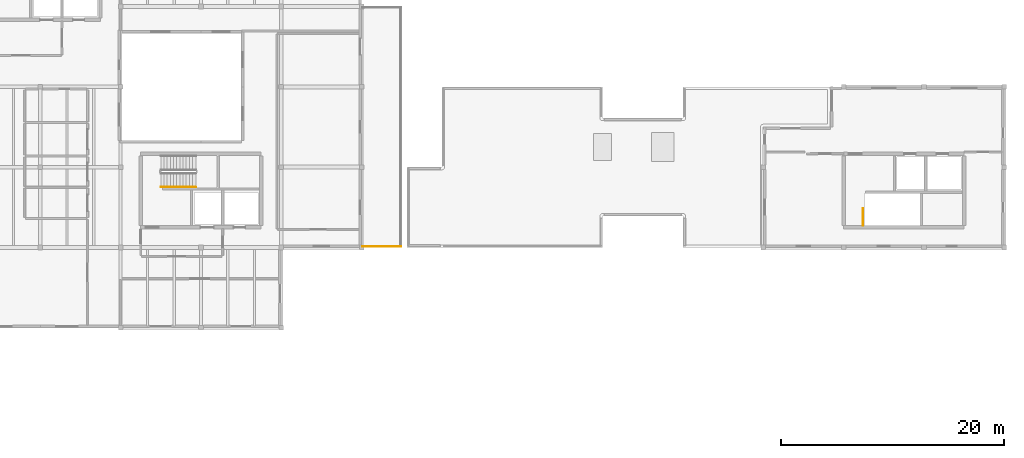
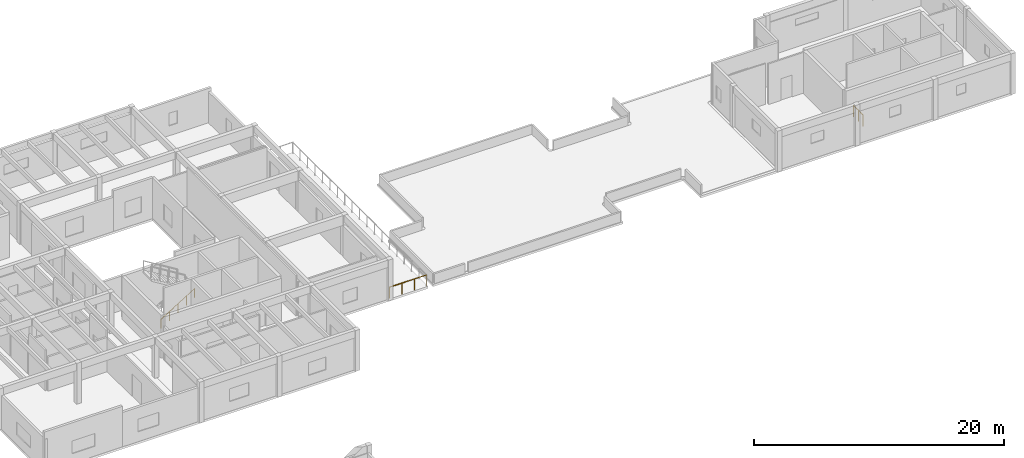
# One storey, part 13 of 15: 3 railings.
"""IFC4 building model written with IfcOpenShell, lengths in metres."""

from ifc_helpers import new_model, si_unit, direction, frame, origin, origin_2d, place, context, subcontext, project, spatial, circle, extrude, material, type_object, element, save


model = new_model("IFC4")

# Units and contexts
model_context = context("Model", 3, precision=1e-05, world=origin(), true_north=direction((0.0, 1.0)))
body_context = subcontext(model_context, "Body", "Model", "MODEL_VIEW")
ifc_project = project(units=[si_unit("LENGTHUNIT", "METRE"), si_unit("AREAUNIT", "SQUARE_METRE"), si_unit("VOLUMEUNIT", "CUBIC_METRE"), si_unit("PLANEANGLEUNIT", "RADIAN"), si_unit("MASSUNIT", "GRAM", prefix="KILO")], contexts=[model_context])

# Site, building, storey
site_placement = place(None, origin())
site = spatial("IfcSite", under=ifc_project, at=site_placement, CompositionType="ELEMENT")
building_placement = place(site_placement, origin())
building = spatial("IfcBuilding", under=site, at=building_placement, Name="Bramvelor Terrace Health Centre", CompositionType="ELEMENT")
storey_placement = place(building_placement, frame((0.0, 0.0, 13.5)))
storey = spatial("IfcBuildingStorey", under=building, at=storey_placement, Name="L04", CompositionType="ELEMENT", Elevation=13.5)

# Railings
ifc_material_1 = material(Name="Painted galvanized steel", Category="steel")
railing_type_1 = type_object("IfcRailingType", Name="RLG-GD-1100", PredefinedType="GUARDRAIL", material=ifc_material_1)
railing_1_placement = place(storey_placement, frame((80.949951171875, 88.35009765625, 0.0)))
element("IfcRailing", 1, at=railing_1_placement, inside=storey, type_object=railing_type_1, Name="L04 ST-4 top well guard 1", PredefinedType="GUARDRAIL", context=body_context, shape_type="SweptSolid", body=[
    extrude(circle(Radius=0.02392578125, at=origin_2d()), frame((0.0, 0.0, 1.076171875), z_axis=(0.0, 1.0, 0.0), x_axis=(-1.0, 0.0, 0.0)), (0.0, 0.0, 1.0), 1.5498046875),
    extrude(circle(Radius=0.02099609375, at=origin_2d()), origin(), (0.0, 0.0, 1.0), 1.052001953125),
    extrude(circle(Radius=0.02099609375, at=origin_2d()), frame((0.0, 0.77490234375, 0.0)), (0.0, 0.0, 1.0), 1.052001953125),
    extrude(circle(Radius=0.02099609375, at=origin_2d()), frame((0.0, 1.5498046875, 0.0)), (0.0, 0.0, 1.0), 1.052001953125),
])
ifc_material_2 = material(Name="Brushed stainless steel 316", Category="steel")
railing_type_2 = type_object("IfcRailingType", Name="RLG-HR-900", PredefinedType="HANDRAIL", material=ifc_material_2)
railing_2_placement = place(storey_placement, frame((18.0, 91.800048828125, 0.175048828125)))
element("IfcRailing", 2, at=railing_2_placement, inside=storey, type_object=railing_type_2, Name="L04 ST-2 stair handrail 1", PredefinedType="HANDRAIL", context=body_context, shape_type="SweptSolid", body=[
    extrude(circle(Radius=0.02392578125, at=origin_2d()), frame((0.0, 0.0, 0.8759765625), z_axis=(0.852166034122, 0.0, 0.523271488128), x_axis=(0.0, 1.0, 0.0)), (0.0, 0.0, 1.0), 3.678955078125),
    extrude(circle(Radius=0.02099609375, at=origin_2d()), origin(), (0.0, 0.0, 1.0), 0.851806640625),
    extrude(circle(Radius=0.02099609375, at=origin_2d()), frame((0.78369140625, 0.0, 0.481201171875)), (0.0, 0.0, 1.0), 0.851806640625),
    extrude(circle(Radius=0.02099609375, at=origin_2d()), frame((1.5673828125, 0.0, 0.96240234375)), (0.0, 0.0, 1.0), 0.851806640625),
    extrude(circle(Radius=0.02099609375, at=origin_2d()), frame((2.351318359375, 0.0, 1.44384765625)), (0.0, 0.0, 1.0), 0.851806640625),
    extrude(circle(Radius=0.02099609375, at=origin_2d()), frame((3.135009765625, 0.0, 1.925048828125)), (0.0, 0.0, 1.0), 0.851806640625),
])
ifc_material_3 = material(Name="Laminated safety glass and stainless steel", Category="steel")
railing_type_3 = type_object("IfcRailingType", Name="RLG-TER-1100", PredefinedType="BALUSTRADE", material=ifc_material_3)
railing_3_placement = place(storey_placement, frame((39.52001953125, 86.5, 0.0)))
element("IfcRailing", 3, at=railing_3_placement, inside=storey, type_object=railing_type_3, Name="L04 Planted Terrace Safety Balustrade 5", PredefinedType="BALUSTRADE", context=body_context, shape_type="SweptSolid", body=[
    extrude(circle(Radius=0.02392578125, at=origin_2d()), frame((0.0, 0.0, 1.076171875), z_axis=(-1.0, 0.0, 0.0), x_axis=(0.0, -1.0, 0.0)), (0.0, 0.0, 1.0), 3.43505859375),
    extrude(circle(Radius=0.02099609375, at=origin_2d()), origin(), (0.0, 0.0, 1.0), 1.052001953125),
    extrude(circle(Radius=0.02099609375, at=origin_2d()), frame((-1.14501953125, 0.0, 0.0)), (0.0, 0.0, 1.0), 1.052001953125),
    extrude(circle(Radius=0.02099609375, at=origin_2d()), frame((-2.2900390625, 0.0, 0.0)), (0.0, 0.0, 1.0), 1.052001953125),
    extrude(circle(Radius=0.02099609375, at=origin_2d()), frame((-3.43505859375, 0.0, 0.0)), (0.0, 0.0, 1.0), 1.052001953125),
])

save(model, "model.ifc")
